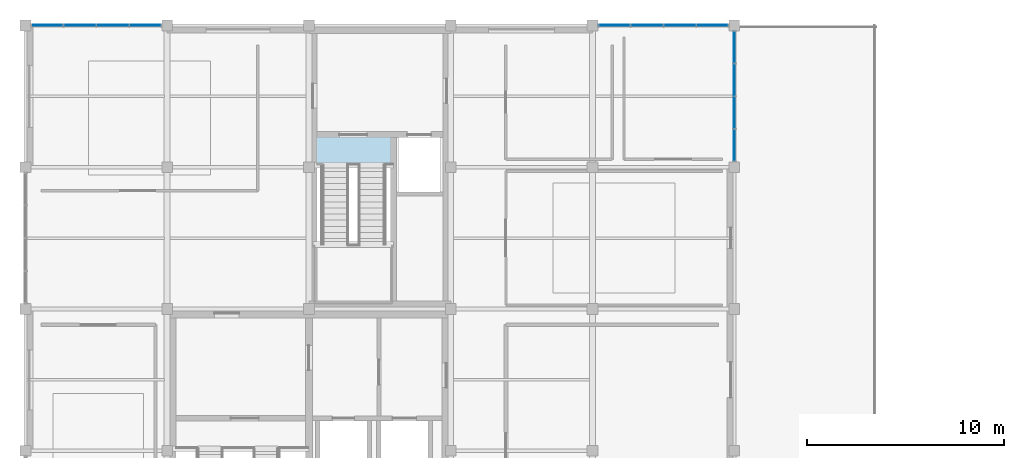
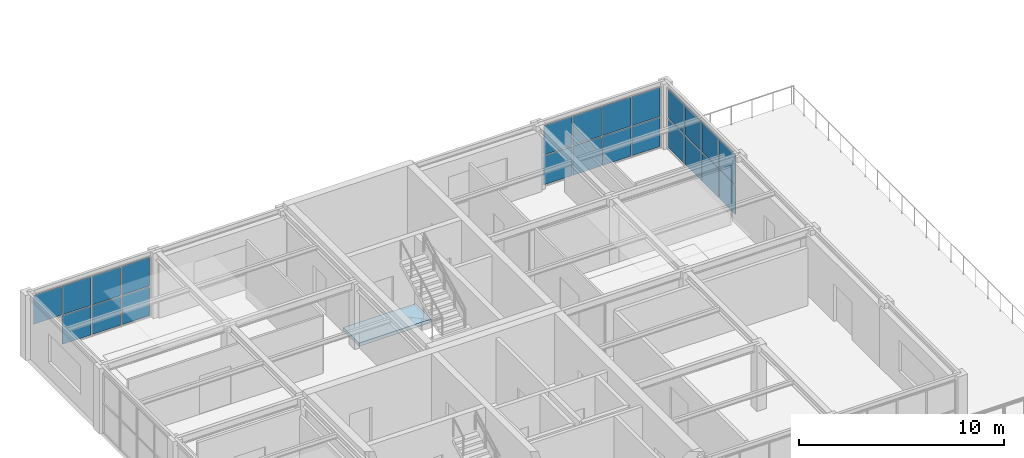
# One storey, part 16 of 30: 23 plates, 1 slab, 3 elements without a shape of their own.
"""IFC4 building model written with IfcOpenShell, lengths in metres."""

import ifcopenshell
import ifcopenshell.guid

model = None  # the IFC model being written
_history = None  # IfcOwnerHistory: only IFC2X3 demands one
_inside = {}  # id of a spatial element -> (the spatial element, [elements in it])
_under = {}  # id of a project, library or spatial element -> (it, [spatial elements below it])
_declared = {}  # id of a project -> (the project, [libraries it declares])
_typed = {}  # id of a type object -> (the type object, [elements of that type])
_made_of = {}  # id of a material, layer set ... -> (it, [elements and type objects made of it])


def new_model(schema):
    """Start an empty IFC model of exactly this schema.

    Asked for "IFC4X3", IfcOpenShell would pick the latest addendum, in which some entities
    have other attributes; the version numbers below select the first issue.
    IFC2X3 requires an IfcOwnerHistory on every rooted entity: one is made here for all.
    """
    global model, _history
    if schema == "IFC4X3":
        model = ifcopenshell.file(schema_version=(4, 3, 0, 0))
    else:
        model = ifcopenshell.file(schema=schema)
    _inside.clear()
    _under.clear()
    _declared.clear()
    _typed.clear()
    _made_of.clear()
    _history = None
    if model.schema == "IFC2X3":
        org = make("IfcOrganization", Name="unknown")
        user = make(
            "IfcPersonAndOrganization",
            ThePerson=make("IfcPerson", FamilyName="unknown"),
            TheOrganization=org,
        )
        app = make(
            "IfcApplication",
            ApplicationDeveloper=org,
            Version="unknown",
            ApplicationFullName="unknown",
            ApplicationIdentifier="unknown",
        )
        _history = make(
            "IfcOwnerHistory",
            OwningUser=user,
            OwningApplication=app,
            ChangeAction="ADDED",
            CreationDate=0,
        )
    return model


def make(cls, **values):
    """One entity of the class cls with the attributes given. An attribute that is None is left unset."""
    return model.create_entity(
        cls, **{name: value for name, value in values.items() if value is not None}
    )


def rooted(cls, **values):
    """An entity with a GlobalId (a new one), such as an element, a storey or a relation."""
    return make(cls, GlobalId=ifcopenshell.guid.new(), OwnerHistory=_history, **values)


def si_unit(unit_type, name, prefix=None):
    """IfcSIUnit, for example si_unit("LENGTHUNIT", "METRE", prefix="MILLI")."""
    return make("IfcSIUnit", UnitType=unit_type, Prefix=prefix, Name=name)


def assignment(units):
    """IfcUnitAssignment: the units of a project."""
    return None if units is None else make("IfcUnitAssignment", Units=units)


def point(xyz):
    """IfcCartesianPoint."""
    return None if xyz is None else make("IfcCartesianPoint", Coordinates=xyz)


def direction(xyz):
    """IfcDirection."""
    return None if xyz is None else make("IfcDirection", DirectionRatios=xyz)


def frame(location, z_axis=None, x_axis=None):
    """IfcAxis2Placement3D, a coordinate frame: its origin and axes. An axis left out is left unset."""
    return make(
        "IfcAxis2Placement3D",
        Location=point(location),
        Axis=direction(z_axis),
        RefDirection=direction(x_axis),
    )


def frame_2d(location, x_axis=None):
    """IfcAxis2Placement2D, a coordinate frame in the plane: its origin and x axis."""
    return make(
        "IfcAxis2Placement2D", Location=point(location), RefDirection=direction(x_axis)
    )


def origin():
    """The frame at (0, 0, 0) with its axes left unset."""
    return frame((0.0, 0.0, 0.0))


def origin_2d():
    """The frame at (0, 0) in the plane with its x axis left unset."""
    return frame_2d((0.0, 0.0))


def place(relative_to, where):
    """IfcLocalPlacement: puts the frame where relative to a parent placement (None: the world)."""
    return make(
        "IfcLocalPlacement", PlacementRelTo=relative_to, RelativePlacement=where
    )


def context(
    kind, dimensions, precision=None, world=None, true_north=None, identifier=None
):
    """IfcGeometricRepresentationContext, for example the 3D "Model" context."""
    return make(
        "IfcGeometricRepresentationContext",
        ContextIdentifier=identifier,
        ContextType=kind,
        CoordinateSpaceDimension=dimensions,
        Precision=precision,
        WorldCoordinateSystem=world,
        TrueNorth=true_north,
    )


def subcontext(parent, identifier, kind, view, scale=None):
    """IfcGeometricRepresentationSubContext, for example "Body" below "Model"."""
    return make(
        "IfcGeometricRepresentationSubContext",
        ContextIdentifier=identifier,
        ContextType=kind,
        ParentContext=parent,
        TargetScale=scale,
        TargetView=view,
    )


def project(units=None, contexts=None):
    """IfcProject with its units and contexts."""
    return rooted(
        "IfcProject",
        Name="project",
        RepresentationContexts=contexts,
        UnitsInContext=assignment(units),
    )


def spatial(cls, under=None, at=None, **own):
    """A site, building, storey or space (cls), placed at a placement, below another one or the project."""
    s = rooted(cls, ObjectPlacement=at, **own)
    if under is not None:
        _under.setdefault(under.id(), (under, []))[1].append(s)
    return s


def polyline(points):
    """IfcPolyline through the points."""
    return make("IfcPolyline", Points=[point(p) for p in points])


def profile(cls, at=None, kind="AREA", **sizes):
    """A parametric profile (cls). Its sizes go by their IFC names, for example OverallWidth=200.0."""
    return make(cls, ProfileType=kind, Position=at, **sizes)


def rectangle(**sizes):
    """IfcRectangleProfileDef."""
    return profile("IfcRectangleProfileDef", **sizes)


def outline(outer, holes=None, kind="AREA"):
    """IfcArbitraryClosedProfileDef: a profile drawn as a closed curve; with holes, ...WithVoids."""
    if holes is None:
        return make("IfcArbitraryClosedProfileDef", ProfileType=kind, OuterCurve=outer)
    return make(
        "IfcArbitraryProfileDefWithVoids",
        ProfileType=kind,
        OuterCurve=outer,
        InnerCurves=holes,
    )


def extrude(swept, where, along, depth):
    """IfcExtrudedAreaSolid: the profile swept, set in the frame where, extruded along a direction by depth."""
    return make(
        "IfcExtrudedAreaSolid",
        SweptArea=swept,
        Position=where,
        ExtrudedDirection=direction(along),
        Depth=depth,
    )


def shape(context_of_items, identifier, shape_type, items):
    """IfcShapeRepresentation: the items that make up one representation, for example the "Body"."""
    return make(
        "IfcShapeRepresentation",
        ContextOfItems=context_of_items,
        RepresentationIdentifier=identifier,
        RepresentationType=shape_type,
        Items=items,
    )


def material(Name=None, Category=None):
    """IfcMaterial."""
    return make("IfcMaterial", Name=Name, Category=Category)


def layer(
    of_material, thickness, ventilated=None, Name=None, Category=None, Priority=None
):
    """IfcMaterialLayer: one layer of a wall or slab, of a material (None: an air gap)."""
    return make(
        "IfcMaterialLayer",
        Material=of_material,
        LayerThickness=thickness,
        IsVentilated=ventilated,
        Name=Name,
        Category=Category,
        Priority=Priority,
    )


def layer_set(layers, Name=None):
    """IfcMaterialLayerSet."""
    return make("IfcMaterialLayerSet", MaterialLayers=layers, LayerSetName=Name)


def made_of(thing, what):
    """Note that an element or type object is made of a material, layer set ...; save() writes the relation."""
    if what is not None:
        _made_of.setdefault(what.id(), (what, []))[1].append(thing)
    return thing


def type_object(cls, material=None, **own):
    """A type object (cls), such as IfcWallType, which elements share."""
    return made_of(rooted(cls, **own), material)


def element(
    cls,
    number,
    at=None,
    inside=None,
    cuts=None,
    type_object=None,
    material=None,
    context=None,
    identifier="Body",
    shape_type=None,
    held_by="IfcProductDefinitionShape",
    body=None,
    shapes=None,
    **own,
):
    """One element of the class cls, such as IfcWall. Its Tag is "e" and its number.

    at: its placement. inside: the storey or other place that contains it. cuts: it is an
    opening in that element (IfcRelVoidsElement). A single representation is given by context,
    identifier, shape_type and body (its items); several are given by shapes. held_by: the class
    of the entity that holds the representations. save() writes the other relations.
    """
    e = rooted(cls, Tag="e%d" % number, ObjectPlacement=at, **own)
    if body is not None:
        shapes = [shape(context, identifier, shape_type, body)]
    if shapes is not None:
        e.Representation = make(held_by, Representations=shapes)
    if inside is not None:
        _inside.setdefault(inside.id(), (inside, []))[1].append(e)
    if cuts is not None:
        rooted(
            "IfcRelVoidsElement", RelatingBuildingElement=cuts, RelatedOpeningElement=e
        )
    if type_object is not None:
        _typed.setdefault(type_object.id(), (type_object, []))[1].append(e)
    return made_of(e, material)


def aggregate(whole, parts):
    """IfcRelAggregates: a whole, such as a stair, and the parts it consists of."""
    return rooted("IfcRelAggregates", RelatingObject=whole, RelatedObjects=parts)


def save(model, path):
    """Write the relations noted so far, then the file.

    IfcRelAggregates (storeys below a building ...), IfcRelContainedInSpatialStructure (elements
    in a storey), IfcRelDefinesByType, IfcRelAssociatesMaterial and IfcRelDeclares: one each for
    every whole, place, type object, material and project.
    """
    for whole, parts in _under.values():
        aggregate(whole, parts)
    for where, things in _inside.values():
        rooted(
            "IfcRelContainedInSpatialStructure",
            RelatedElements=things,
            RelatingStructure=where,
        )
    for kind, things in _typed.values():
        rooted("IfcRelDefinesByType", RelatedObjects=things, RelatingType=kind)
    for what, things in _made_of.values():
        rooted("IfcRelAssociatesMaterial", RelatedObjects=things, RelatingMaterial=what)
    for by, libraries in _declared.values():
        rooted("IfcRelDeclares", RelatingContext=by, RelatedDefinitions=libraries)
    model.write(path)


model = new_model("IFC4")

# Units and contexts
model_context = context("Model", 3, precision=1e-05, world=origin(), true_north=direction((0.0, 1.0)))
body_context = subcontext(model_context, "Body", "Model", "MODEL_VIEW")
ifc_project = project(units=[si_unit("LENGTHUNIT", "METRE"), si_unit("AREAUNIT", "SQUARE_METRE"), si_unit("VOLUMEUNIT", "CUBIC_METRE"), si_unit("PLANEANGLEUNIT", "RADIAN"), si_unit("MASSUNIT", "GRAM", prefix="KILO")], contexts=[model_context])

# Site, building, storey
site_placement = place(None, origin())
site = spatial("IfcSite", under=ifc_project, at=site_placement, CompositionType="ELEMENT")
building_placement = place(site_placement, origin())
building = spatial("IfcBuilding", under=site, at=building_placement, Name="Leyfeld Transit Interchange", CompositionType="ELEMENT")
storey_placement = place(building_placement, frame((0.0, 0.0, 13.800048828125)))
storey = spatial("IfcBuildingStorey", under=building, at=storey_placement, Name="L03", CompositionType="ELEMENT", Elevation=13.800048828125)

# Curtain wall, plates
ifc_material_1 = material(Name="Anodised aluminium EN AW-6060 T66", Category="aluminium")
curtain_wall_type = type_object("IfcCurtainWallType", Name="CW-SYS-OPS-7200", PredefinedType="NOTDEFINED", material=ifc_material_1)
curtain_wall_1_placement = place(storey_placement, origin())
curtain_wall_1 = element("IfcCurtainWall", 1, at=curtain_wall_1_placement, inside=storey, type_object=curtain_wall_type, Name="Curtain Wall CW-L03-123", PredefinedType="NOTDEFINED")
ifc_material_2 = material(Name="Triple low-E insulated glazing", Category="glass")
ifc_layer_1 = layer(ifc_material_2, 0.0439453125, Name="Triple low-E insulated glazing")
ifc_layer_set_1 = layer_set([ifc_layer_1], Name="Triple low-E insulated glazing")
plate_type = type_object("IfcPlateType", Name="CW-PNL-GLZ-44", PredefinedType="CURTAIN_PANEL", material=ifc_layer_set_1)
plate_1_placement = place(storey_placement, frame((1.114990234375, 122.39990234375, 1.8310546875), z_axis=(0.0, 0.0, 1.0), x_axis=(1.0, 0.0, 0.0)))
plate_1 = element("IfcPlate", 2, at=plate_1_placement, type_object=plate_type, Name="Glazed Curtain Panel CW-L03-123-P01_2", PredefinedType="CURTAIN_PANEL", context=body_context, shape_type="SweptSolid", body=[
    extrude(rectangle(XDim=1.572998046875, YDim=0.0439453125, at=origin_2d()), origin(), (0.0, 0.0, 1.0), 1.70556640625),
])
plate_2_placement = place(storey_placement, frame((2.76611328125, 122.39990234375, 0.0634765625), z_axis=(0.0, 0.0, 1.0), x_axis=(1.0, 0.0, 0.0)))
plate_2 = element("IfcPlate", 3, at=plate_2_placement, type_object=plate_type, Name="Glazed Curtain Panel CW-L03-123-P02_1", PredefinedType="CURTAIN_PANEL", context=body_context, shape_type="SweptSolid", body=[
    extrude(rectangle(XDim=1.60546875, YDim=0.0439453125, at=origin_2d()), origin(), (0.0, 0.0, 1.0), 1.70556640625),
])
plate_3_placement = place(storey_placement, frame((2.76611328125, 122.39990234375, 1.8310546875), z_axis=(0.0, 0.0, 1.0), x_axis=(1.0, 0.0, 0.0)))
plate_3 = element("IfcPlate", 4, at=plate_3_placement, type_object=plate_type, Name="Glazed Curtain Panel CW-L03-123-P02_2", PredefinedType="CURTAIN_PANEL", context=body_context, shape_type="SweptSolid", body=[
    extrude(rectangle(XDim=1.60546875, YDim=0.0439453125, at=origin_2d()), origin(), (0.0, 0.0, 1.0), 1.70556640625),
])
plate_4_placement = place(storey_placement, frame((4.43359375, 122.39990234375, 0.0634765625), z_axis=(0.0, 0.0, 1.0), x_axis=(1.0, 0.0, 0.0)))
plate_4 = element("IfcPlate", 5, at=plate_4_placement, type_object=plate_type, Name="Glazed Curtain Panel CW-L03-123-P03_1", PredefinedType="CURTAIN_PANEL", context=body_context, shape_type="SweptSolid", body=[
    extrude(rectangle(XDim=1.60546875, YDim=0.0439453125, at=origin_2d()), origin(), (0.0, 0.0, 1.0), 1.70556640625),
])
plate_5_placement = place(storey_placement, frame((4.43359375, 122.39990234375, 1.8310546875), z_axis=(0.0, 0.0, 1.0), x_axis=(1.0, 0.0, 0.0)))
plate_5 = element("IfcPlate", 6, at=plate_5_placement, type_object=plate_type, Name="Glazed Curtain Panel CW-L03-123-P03_2", PredefinedType="CURTAIN_PANEL", context=body_context, shape_type="SweptSolid", body=[
    extrude(rectangle(XDim=1.60546875, YDim=0.0439453125, at=origin_2d()), origin(), (0.0, 0.0, 1.0), 1.70556640625),
])
plate_6_placement = place(storey_placement, frame((6.0849609375, 122.39990234375, 0.0634765625), z_axis=(0.0, 0.0, 1.0), x_axis=(1.0, 0.0, 0.0)))
plate_6 = element("IfcPlate", 7, at=plate_6_placement, type_object=plate_type, Name="Glazed Curtain Panel CW-L03-123-P04_1", PredefinedType="CURTAIN_PANEL", context=body_context, shape_type="SweptSolid", body=[
    extrude(rectangle(XDim=1.572998046875, YDim=0.0439453125, at=origin_2d()), origin(), (0.0, 0.0, 1.0), 1.70556640625),
])
plate_7_placement = place(storey_placement, frame((6.0849609375, 122.39990234375, 1.8310546875), z_axis=(0.0, 0.0, 1.0), x_axis=(1.0, 0.0, 0.0)))
plate_7 = element("IfcPlate", 8, at=plate_7_placement, type_object=plate_type, Name="Glazed Curtain Panel CW-L03-123-P04_2", PredefinedType="CURTAIN_PANEL", context=body_context, shape_type="SweptSolid", body=[
    extrude(rectangle(XDim=1.572998046875, YDim=0.0439453125, at=origin_2d()), origin(), (0.0, 0.0, 1.0), 1.70556640625),
])
aggregate(curtain_wall_1, [plate_1, plate_2, plate_3, plate_4, plate_5, plate_6, plate_7])

curtain_wall_2_placement = place(storey_placement, origin())
curtain_wall_2 = element("IfcCurtainWall", 9, at=curtain_wall_2_placement, inside=storey, type_object=curtain_wall_type, Name="Curtain Wall CW-L03-124", PredefinedType="NOTDEFINED")
plate_8_placement = place(storey_placement, frame((29.9150390625, 122.39990234375, 0.0634765625), z_axis=(0.0, 0.0, 1.0), x_axis=(1.0, 0.0, 0.0)))
plate_8 = element("IfcPlate", 10, at=plate_8_placement, type_object=plate_type, Name="Glazed Curtain Panel CW-L03-124-P01_1", PredefinedType="CURTAIN_PANEL", context=body_context, shape_type="SweptSolid", body=[
    extrude(rectangle(XDim=1.572998046875, YDim=0.0439453125, at=origin_2d()), origin(), (0.0, 0.0, 1.0), 1.73046875),
])
plate_9_placement = place(storey_placement, frame((29.9150390625, 122.39990234375, 1.85595703125), z_axis=(0.0, 0.0, 1.0), x_axis=(1.0, 0.0, 0.0)))
plate_9 = element("IfcPlate", 11, at=plate_9_placement, type_object=plate_type, Name="Glazed Curtain Panel CW-L03-124-P01_2", PredefinedType="CURTAIN_PANEL", context=body_context, shape_type="SweptSolid", body=[
    extrude(rectangle(XDim=1.572998046875, YDim=0.0439453125, at=origin_2d()), origin(), (0.0, 0.0, 1.0), 1.73046875),
])
plate_10_placement = place(storey_placement, frame((31.56640625, 122.39990234375, 0.0634765625), z_axis=(0.0, 0.0, 1.0), x_axis=(1.0, 0.0, 0.0)))
plate_10 = element("IfcPlate", 12, at=plate_10_placement, type_object=plate_type, Name="Glazed Curtain Panel CW-L03-124-P02_1", PredefinedType="CURTAIN_PANEL", context=body_context, shape_type="SweptSolid", body=[
    extrude(rectangle(XDim=1.60546875, YDim=0.0439453125, at=origin_2d()), origin(), (0.0, 0.0, 1.0), 1.73046875),
])
plate_11_placement = place(storey_placement, frame((31.56640625, 122.39990234375, 1.85595703125), z_axis=(0.0, 0.0, 1.0), x_axis=(1.0, 0.0, 0.0)))
plate_11 = element("IfcPlate", 13, at=plate_11_placement, type_object=plate_type, Name="Glazed Curtain Panel CW-L03-124-P02_2", PredefinedType="CURTAIN_PANEL", context=body_context, shape_type="SweptSolid", body=[
    extrude(rectangle(XDim=1.60546875, YDim=0.0439453125, at=origin_2d()), origin(), (0.0, 0.0, 1.0), 1.73046875),
])
plate_12_placement = place(storey_placement, frame((33.23388671875, 122.39990234375, 0.0634765625), z_axis=(0.0, 0.0, 1.0), x_axis=(1.0, 0.0, 0.0)))
plate_12 = element("IfcPlate", 14, at=plate_12_placement, type_object=plate_type, Name="Glazed Curtain Panel CW-L03-124-P03_1", PredefinedType="CURTAIN_PANEL", context=body_context, shape_type="SweptSolid", body=[
    extrude(rectangle(XDim=1.60546875, YDim=0.0439453125, at=origin_2d()), origin(), (0.0, 0.0, 1.0), 1.73046875),
])
plate_13_placement = place(storey_placement, frame((33.23388671875, 122.39990234375, 1.85595703125), z_axis=(0.0, 0.0, 1.0), x_axis=(1.0, 0.0, 0.0)))
plate_13 = element("IfcPlate", 15, at=plate_13_placement, type_object=plate_type, Name="Glazed Curtain Panel CW-L03-124-P03_2", PredefinedType="CURTAIN_PANEL", context=body_context, shape_type="SweptSolid", body=[
    extrude(rectangle(XDim=1.60546875, YDim=0.0439453125, at=origin_2d()), origin(), (0.0, 0.0, 1.0), 1.73046875),
])
plate_14_placement = place(storey_placement, frame((34.885009765625, 122.39990234375, 0.0634765625), z_axis=(0.0, 0.0, 1.0), x_axis=(1.0, 0.0, 0.0)))
plate_14 = element("IfcPlate", 16, at=plate_14_placement, type_object=plate_type, Name="Glazed Curtain Panel CW-L03-124-P04_1", PredefinedType="CURTAIN_PANEL", context=body_context, shape_type="SweptSolid", body=[
    extrude(rectangle(XDim=1.572998046875, YDim=0.0439453125, at=origin_2d()), origin(), (0.0, 0.0, 1.0), 1.73046875),
])
plate_15_placement = place(storey_placement, frame((34.885009765625, 122.39990234375, 1.85595703125), z_axis=(0.0, 0.0, 1.0), x_axis=(1.0, 0.0, 0.0)))
plate_15 = element("IfcPlate", 17, at=plate_15_placement, type_object=plate_type, Name="Glazed Curtain Panel CW-L03-124-P04_2", PredefinedType="CURTAIN_PANEL", context=body_context, shape_type="SweptSolid", body=[
    extrude(rectangle(XDim=1.572998046875, YDim=0.0439453125, at=origin_2d()), origin(), (0.0, 0.0, 1.0), 1.73046875),
])
aggregate(curtain_wall_2, [plate_8, plate_9, plate_10, plate_11, plate_12, plate_13, plate_14, plate_15])

curtain_wall_3_placement = place(storey_placement, origin())
curtain_wall_3 = element("IfcCurtainWall", 18, at=curtain_wall_3_placement, inside=storey, type_object=curtain_wall_type, Name="Curtain Wall CW-L03-125", PredefinedType="NOTDEFINED")
plate_16_placement = place(storey_placement, frame((36.0, 121.284912109375, 0.0634765625), z_axis=(0.0, 0.0, 1.0), x_axis=(0.0, -1.0, 0.0)))
plate_16 = element("IfcPlate", 19, at=plate_16_placement, type_object=plate_type, Name="Glazed Curtain Panel CW-L03-125-P01_1", PredefinedType="CURTAIN_PANEL", context=body_context, shape_type="SweptSolid", body=[
    extrude(rectangle(XDim=1.572998046875, YDim=0.0439453125, at=origin_2d()), origin(), (0.0, 0.0, 1.0), 1.73046875),
])
plate_17_placement = place(storey_placement, frame((36.0, 121.284912109375, 1.85595703125), z_axis=(0.0, 0.0, 1.0), x_axis=(0.0, -1.0, 0.0)))
plate_17 = element("IfcPlate", 20, at=plate_17_placement, type_object=plate_type, Name="Glazed Curtain Panel CW-L03-125-P01_2", PredefinedType="CURTAIN_PANEL", context=body_context, shape_type="SweptSolid", body=[
    extrude(rectangle(XDim=1.572998046875, YDim=0.0439453125, at=origin_2d()), origin(), (0.0, 0.0, 1.0), 1.73046875),
])
plate_18_placement = place(storey_placement, frame((36.0, 119.6337890625, 0.0634765625), z_axis=(0.0, 0.0, 1.0), x_axis=(0.0, -1.0, 0.0)))
plate_18 = element("IfcPlate", 21, at=plate_18_placement, type_object=plate_type, Name="Glazed Curtain Panel CW-L03-125-P02_1", PredefinedType="CURTAIN_PANEL", context=body_context, shape_type="SweptSolid", body=[
    extrude(rectangle(XDim=1.60546875, YDim=0.0439453125, at=origin_2d()), origin(), (0.0, 0.0, 1.0), 1.73046875),
])
plate_19_placement = place(storey_placement, frame((36.0, 119.6337890625, 1.85595703125), z_axis=(0.0, 0.0, 1.0), x_axis=(0.0, -1.0, 0.0)))
plate_19 = element("IfcPlate", 22, at=plate_19_placement, type_object=plate_type, Name="Glazed Curtain Panel CW-L03-125-P02_2", PredefinedType="CURTAIN_PANEL", context=body_context, shape_type="SweptSolid", body=[
    extrude(rectangle(XDim=1.60546875, YDim=0.0439453125, at=origin_2d()), origin(), (0.0, 0.0, 1.0), 1.73046875),
])
plate_20_placement = place(storey_placement, frame((36.0, 117.96630859375, 0.0634765625), z_axis=(0.0, 0.0, 1.0), x_axis=(0.0, -1.0, 0.0)))
plate_20 = element("IfcPlate", 23, at=plate_20_placement, type_object=plate_type, Name="Glazed Curtain Panel CW-L03-125-P03_1", PredefinedType="CURTAIN_PANEL", context=body_context, shape_type="SweptSolid", body=[
    extrude(rectangle(XDim=1.60546875, YDim=0.0439453125, at=origin_2d()), origin(), (0.0, 0.0, 1.0), 1.73046875),
])
plate_21_placement = place(storey_placement, frame((36.0, 117.96630859375, 1.85595703125), z_axis=(0.0, 0.0, 1.0), x_axis=(0.0, -1.0, 0.0)))
plate_21 = element("IfcPlate", 24, at=plate_21_placement, type_object=plate_type, Name="Glazed Curtain Panel CW-L03-125-P03_2", PredefinedType="CURTAIN_PANEL", context=body_context, shape_type="SweptSolid", body=[
    extrude(rectangle(XDim=1.60546875, YDim=0.0439453125, at=origin_2d()), origin(), (0.0, 0.0, 1.0), 1.73046875),
])
plate_22_placement = place(storey_placement, frame((36.0, 116.31494140625, 0.0634765625), z_axis=(0.0, 0.0, 1.0), x_axis=(0.0, -1.0, 0.0)))
plate_22 = element("IfcPlate", 25, at=plate_22_placement, type_object=plate_type, Name="Glazed Curtain Panel CW-L03-125-P04_1", PredefinedType="CURTAIN_PANEL", context=body_context, shape_type="SweptSolid", body=[
    extrude(rectangle(XDim=1.572998046875, YDim=0.0439453125, at=origin_2d()), origin(), (0.0, 0.0, 1.0), 1.73046875),
])
plate_23_placement = place(storey_placement, frame((36.0, 116.31494140625, 1.85595703125), z_axis=(0.0, 0.0, 1.0), x_axis=(0.0, -1.0, 0.0)))
plate_23 = element("IfcPlate", 26, at=plate_23_placement, type_object=plate_type, Name="Glazed Curtain Panel CW-L03-125-P04_2", PredefinedType="CURTAIN_PANEL", context=body_context, shape_type="SweptSolid", body=[
    extrude(rectangle(XDim=1.572998046875, YDim=0.0439453125, at=origin_2d()), origin(), (0.0, 0.0, 1.0), 1.73046875),
])
aggregate(curtain_wall_3, [plate_16, plate_17, plate_18, plate_19, plate_20, plate_21, plate_22, plate_23])

# Slab
ifc_material_3 = material(Name="Precast concrete C40/50", Category="concrete")
ifc_layer_2 = layer(ifc_material_3, 0.199951171875, Name="Precast concrete C40/50")
ifc_layer_set_2 = layer_set([ifc_layer_2], Name="Precast concrete C40/50")
slab_type = type_object("IfcSlabType", Name="SLB-LND-200", PredefinedType="LANDING", material=ifc_layer_set_2)
slab_placement = place(storey_placement, frame((0.0, 0.0, -0.199951171875)))
element("IfcSlab", 27, at=slab_placement, inside=storey, type_object=slab_type, Name="Core K2 Stair Floor Landing L03", PredefinedType="LANDING", context=body_context, shape_type="SweptSolid", body=[
    extrude(outline(polyline([(14.60498046875, 115.300048828125), (18.695068359375, 115.300048828125), (18.695068359375, 116.844970703125), (14.60498046875, 116.844970703125), (14.60498046875, 115.300048828125)])), origin(), (0.0, 0.0, 1.0), 0.199951171875),
])

save(model, "model.ifc")
